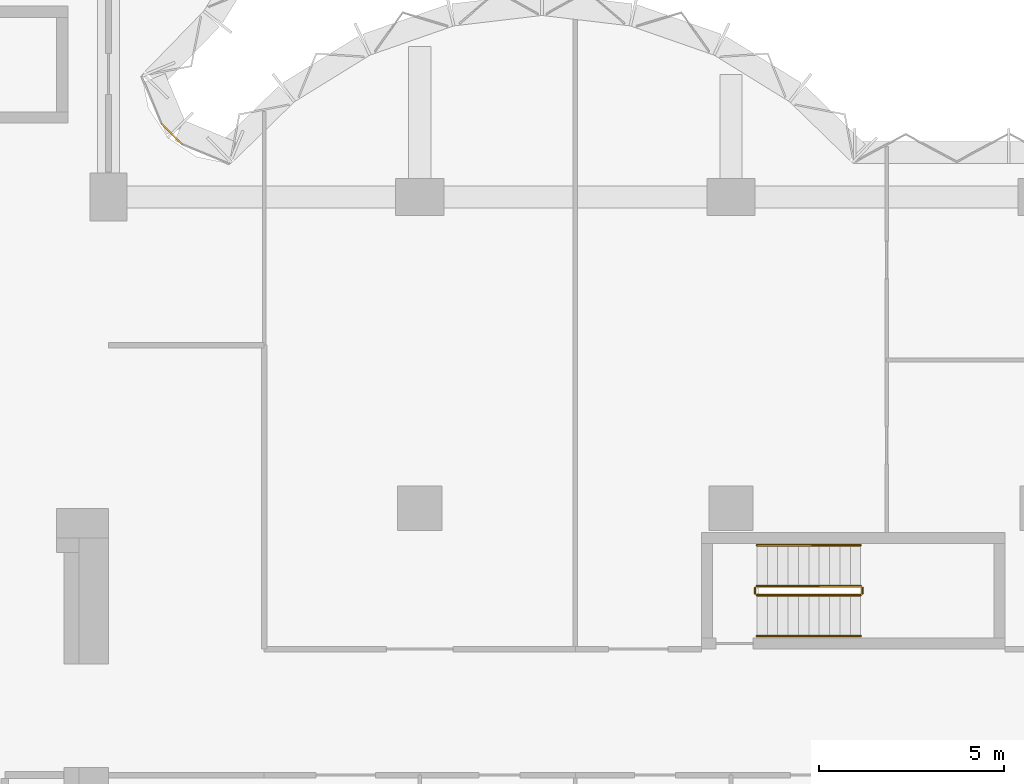
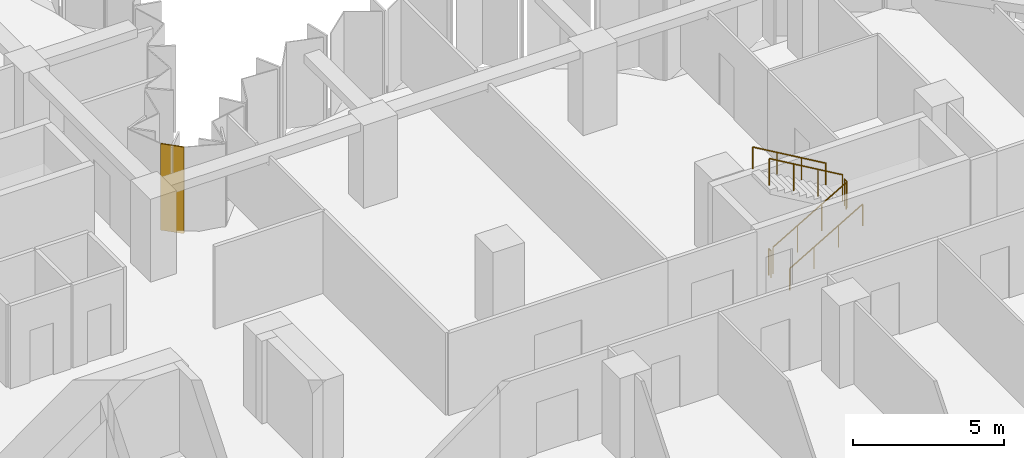
# One storey, part 11 of 11: 6 railings, 1 covering, 1 element without a shape of its own.
"""IFC4 building model written with IfcOpenShell, lengths in metres."""

from ifc_helpers import new_model, si_unit, direction, frame, origin, origin_2d, place, context, subcontext, project, spatial, polyline, circle, outline, extrude, material, layer, layer_set, type_object, element, aggregate, save


model = new_model("IFC4")

# Units and contexts
model_context = context("Model", 3, precision=1e-05, world=origin(), true_north=direction((0.0, 1.0)))
body_context = subcontext(model_context, "Body", "Model", "MODEL_VIEW")
ifc_project = project(units=[si_unit("LENGTHUNIT", "METRE"), si_unit("AREAUNIT", "SQUARE_METRE"), si_unit("VOLUMEUNIT", "CUBIC_METRE"), si_unit("PLANEANGLEUNIT", "RADIAN"), si_unit("MASSUNIT", "GRAM", prefix="KILO")], contexts=[model_context])

# Site, building, storey
site_placement = place(None, origin())
site = spatial("IfcSite", under=ifc_project, at=site_placement, CompositionType="ELEMENT")
building_placement = place(site_placement, origin())
building = spatial("IfcBuilding", under=site, at=building_placement, Name="Brevane Broadcast Tower", CompositionType="ELEMENT")
storey_placement = place(building_placement, frame((0.0, 0.0, 149.300048828125)))
storey = spatial("IfcBuildingStorey", under=building, at=storey_placement, Name="L37", CompositionType="ELEMENT", Elevation=149.300048828125)

# Railings
ifc_material_1 = material(Name="Steel S355", Category="steel")
railing_type_1 = type_object("IfcRailingType", Name="Exit stair guard", PredefinedType="GUARDRAIL", material=ifc_material_1)
railing_1_placement = place(storey_placement, frame((42.699951171875, 14.449951171875, 0.16357421875)))
element("IfcRailing", 1, at=railing_1_placement, inside=storey, type_object=railing_type_1, Name="L37 ST-4 stair guard 1", PredefinedType="GUARDRAIL", context=body_context, shape_type="SweptSolid", body=[
    extrude(circle(Radius=0.02392578125, at=origin_2d()), frame((0.0, 0.0, 1.076171875), z_axis=(0.863360870873, 0.0, 0.504586966384), x_axis=(0.0, 1.0, 0.0)), (0.0, 0.0, 1.0), 3.2431640625),
    extrude(circle(Radius=0.02099609375, at=origin_2d()), origin(), (0.0, 0.0, 1.0), 1.052001953125),
    extrude(circle(Radius=0.02099609375, at=origin_2d()), frame((0.933349609375, 0.0, 0.54541015625)), (0.0, 0.0, 1.0), 1.052001953125),
    extrude(circle(Radius=0.02099609375, at=origin_2d()), frame((1.86669921875, 0.0, 1.091064453125)), (0.0, 0.0, 1.0), 1.052001953125),
    extrude(circle(Radius=0.02099609375, at=origin_2d()), frame((2.800048828125, 0.0, 1.636474609375)), (0.0, 0.0, 1.0), 1.052001953125),
])
railing_2_placement = place(storey_placement, frame((45.550048828125, 14.5, 1.800048828125)))
element("IfcRailing", 2, at=railing_2_placement, inside=storey, type_object=railing_type_1, Name="L37 ST-4 stair guard 2", PredefinedType="GUARDRAIL", context=body_context, shape_type="SweptSolid", body=[
    extrude(circle(Radius=0.02392578125, at=origin_2d()), frame((0.0, 0.0, 1.076171875), z_axis=(0.0, 1.0, 0.0), x_axis=(-1.0, 0.0, 0.0)), (0.0, 0.0, 1.0), 0.14990234375),
    extrude(circle(Radius=0.02099609375, at=origin_2d()), origin(), (0.0, 0.0, 1.0), 1.052001953125),
    extrude(circle(Radius=0.02099609375, at=origin_2d()), frame((0.0, 0.14990234375, 0.0)), (0.0, 0.0, 1.0), 1.052001953125),
])
railing_3_placement = place(storey_placement, frame((45.5, 14.699951171875, 1.963623046875)))
element("IfcRailing", 3, at=railing_3_placement, inside=storey, type_object=railing_type_1, Name="L37 ST-4 stair guard 3", PredefinedType="GUARDRAIL", context=body_context, shape_type="SweptSolid", body=[
    extrude(circle(Radius=0.02392578125, at=origin_2d()), frame((0.0, 0.0, 1.076171875), z_axis=(-0.863393664356, 0.0, 0.504530851732), x_axis=(0.0, -1.0, 0.0)), (0.0, 0.0, 1.0), 3.2431640625),
    extrude(circle(Radius=0.02099609375, at=origin_2d()), origin(), (0.0, 0.0, 1.0), 1.052001953125),
    extrude(circle(Radius=0.02099609375, at=origin_2d()), frame((-0.933349609375, 0.0, 0.54541015625)), (0.0, 0.0, 1.0), 1.052001953125),
    extrude(circle(Radius=0.02099609375, at=origin_2d()), frame((-1.86669921875, 0.0, 1.0908203125)), (0.0, 0.0, 1.0), 1.052001953125),
    extrude(circle(Radius=0.02099609375, at=origin_2d()), frame((-2.800048828125, 0.0, 1.63623046875)), (0.0, 0.0, 1.0), 1.052001953125),
])
railing_4_placement = place(storey_placement, frame((42.64990234375, 14.5, 0.0)))
element("IfcRailing", 4, at=railing_4_placement, inside=storey, type_object=railing_type_1, Name="L37 ST-4 stair guard 4", PredefinedType="GUARDRAIL", context=body_context, shape_type="SweptSolid", body=[
    extrude(circle(Radius=0.02392578125, at=origin_2d()), frame((0.0, 0.0, 1.076171875), z_axis=(0.0, 1.0, 0.0), x_axis=(-1.0, 0.0, 0.0)), (0.0, 0.0, 1.0), 0.14990234375),
    extrude(circle(Radius=0.02099609375, at=origin_2d()), origin(), (0.0, 0.0, 1.0), 1.052001953125),
    extrude(circle(Radius=0.02099609375, at=origin_2d()), frame((0.0, 0.14990234375, 0.0)), (0.0, 0.0, 1.0), 1.052001953125),
])
railing_type_2 = type_object("IfcRailingType", Name="Exit stair handrail", PredefinedType="HANDRAIL", material=ifc_material_1)
railing_5_placement = place(storey_placement, frame((42.699951171875, 13.35009765625, 0.16357421875)))
element("IfcRailing", 5, at=railing_5_placement, inside=storey, type_object=railing_type_2, Name="L37 ST-4 stair handrail 1", PredefinedType="HANDRAIL", context=body_context, shape_type="SweptSolid", body=[
    extrude(circle(Radius=0.02392578125, at=origin_2d()), frame((0.0, 0.0, 0.8759765625), z_axis=(0.863360870873, 0.0, 0.504586966384), x_axis=(0.0, 1.0, 0.0)), (0.0, 0.0, 1.0), 3.2431640625),
    extrude(circle(Radius=0.02099609375, at=origin_2d()), origin(), (0.0, 0.0, 1.0), 0.851806640625),
    extrude(circle(Radius=0.02099609375, at=origin_2d()), frame((0.933349609375, 0.0, 0.54541015625)), (0.0, 0.0, 1.0), 0.851806640625),
    extrude(circle(Radius=0.02099609375, at=origin_2d()), frame((1.86669921875, 0.0, 1.091064453125)), (0.0, 0.0, 1.0), 0.851806640625),
    extrude(circle(Radius=0.02099609375, at=origin_2d()), frame((2.800048828125, 0.0, 1.636474609375)), (0.0, 0.0, 1.0), 0.851806640625),
])
railing_6_placement = place(storey_placement, frame((45.5, 15.800048828125, 1.963623046875)))
element("IfcRailing", 6, at=railing_6_placement, inside=storey, type_object=railing_type_2, Name="L37 ST-4 stair handrail 2", PredefinedType="HANDRAIL", context=body_context, shape_type="SweptSolid", body=[
    extrude(circle(Radius=0.02392578125, at=origin_2d()), frame((0.0, 0.0, 0.8759765625), z_axis=(-0.863393664356, 0.0, 0.504530851732), x_axis=(0.0, -1.0, 0.0)), (0.0, 0.0, 1.0), 3.2431640625),
    extrude(circle(Radius=0.02099609375, at=origin_2d()), origin(), (0.0, 0.0, 1.0), 0.851806640625),
    extrude(circle(Radius=0.02099609375, at=origin_2d()), frame((-0.933349609375, 0.0, 0.54541015625)), (0.0, 0.0, 1.0), 0.851806640625),
    extrude(circle(Radius=0.02099609375, at=origin_2d()), frame((-1.86669921875, 0.0, 1.0908203125)), (0.0, 0.0, 1.0), 0.851806640625),
    extrude(circle(Radius=0.02099609375, at=origin_2d()), frame((-2.800048828125, 0.0, 1.63623046875)), (0.0, 0.0, 1.0), 0.851806640625),
])

# Curtain wall, covering
ifc_material_2 = material(Name="Aluminium 6063-T6 bronze anodised", Category="aluminium")
curtain_wall_type = type_object("IfcCurtainWallType", Name="CW-1 curtain wall", PredefinedType="NOTDEFINED", material=ifc_material_2)
curtain_wall_placement = place(storey_placement, origin())
curtain_wall = element("IfcCurtainWall", 7, at=curtain_wall_placement, inside=storey, type_object=curtain_wall_type, Name="CW-1 typical tilted unit L37 inner corner", PredefinedType="NOTDEFINED")
ifc_material_3 = material(Name="Back-painted bronze glass shadow-box", Category="glass")
ifc_layer = layer(ifc_material_3, 0.0400390625)
ifc_layer_set = layer_set([ifc_layer], Name="Shadow-box panel 40")
covering_type = type_object("IfcCoveringType", Name="Shadow-box panel 40", PredefinedType="CLADDING", material=ifc_layer_set)
covering_placement = place(storey_placement, frame((0.0, 0.0, -0.150146484375)))
covering = element("IfcCovering", 8, at=covering_placement, type_object=covering_type, Name="Closure panel", PredefinedType="CLADDING", context=body_context, shape_type="SweptSolid", body=[
    extrude(outline(polyline([(27.17138671875, 26.60498046875), (27.2021484375, 26.635498046875), (26.635498046875, 27.2021484375), (26.60498046875, 27.17138671875), (27.17138671875, 26.60498046875)])), origin(), (0.0, 0.0, 1.0), 3.5),
])
aggregate(curtain_wall, [covering])

save(model, "model.ifc")
